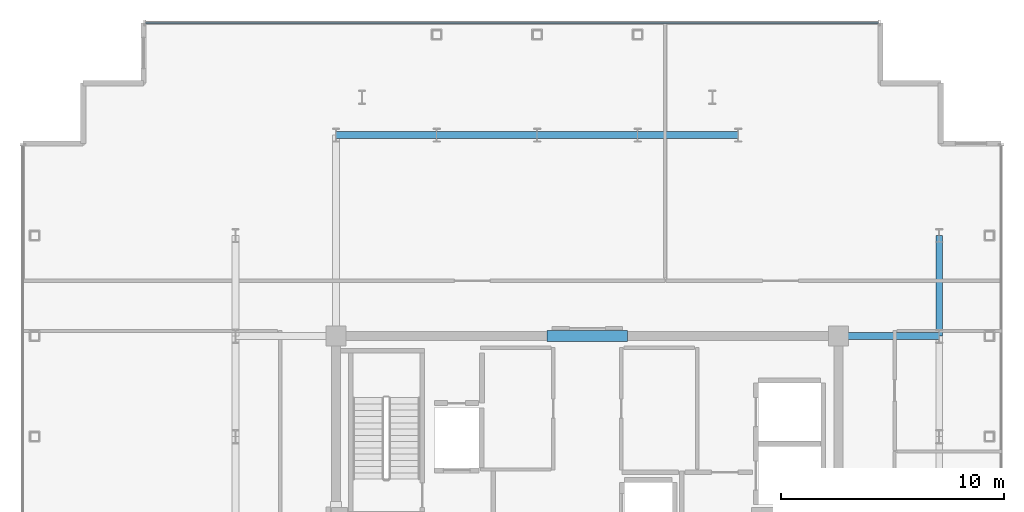
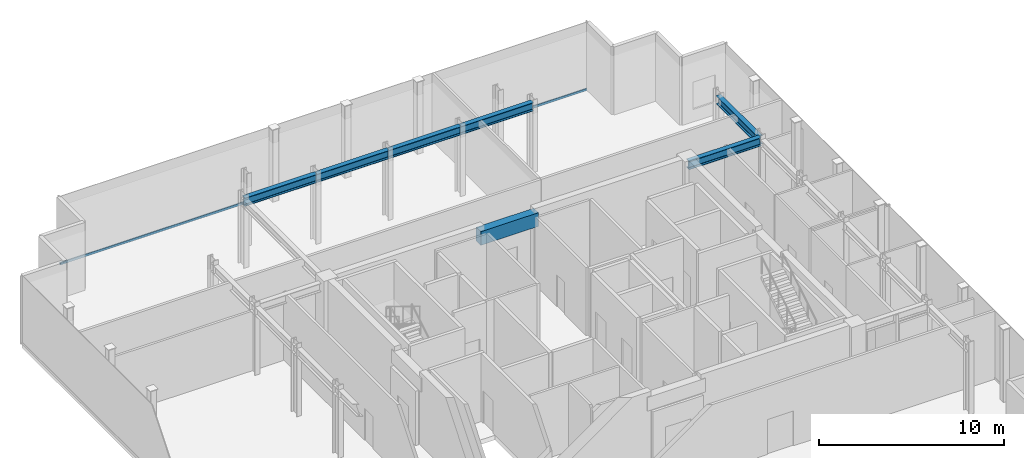
# One storey, part 10 of 17: 7 beams, 1 member, 1 element without a shape of its own.
"""IFC4 building model written with IfcOpenShell, lengths in metres."""

import ifcopenshell
import ifcopenshell.guid

model = None  # the IFC model being written
_history = None  # IfcOwnerHistory: only IFC2X3 demands one
_inside = {}  # id of a spatial element -> (the spatial element, [elements in it])
_under = {}  # id of a project, library or spatial element -> (it, [spatial elements below it])
_declared = {}  # id of a project -> (the project, [libraries it declares])
_typed = {}  # id of a type object -> (the type object, [elements of that type])
_made_of = {}  # id of a material, layer set ... -> (it, [elements and type objects made of it])


def new_model(schema):
    """Start an empty IFC model of exactly this schema.

    Asked for "IFC4X3", IfcOpenShell would pick the latest addendum, in which some entities
    have other attributes; the version numbers below select the first issue.
    IFC2X3 requires an IfcOwnerHistory on every rooted entity: one is made here for all.
    """
    global model, _history
    if schema == "IFC4X3":
        model = ifcopenshell.file(schema_version=(4, 3, 0, 0))
    else:
        model = ifcopenshell.file(schema=schema)
    _inside.clear()
    _under.clear()
    _declared.clear()
    _typed.clear()
    _made_of.clear()
    _history = None
    if model.schema == "IFC2X3":
        org = make("IfcOrganization", Name="unknown")
        user = make(
            "IfcPersonAndOrganization",
            ThePerson=make("IfcPerson", FamilyName="unknown"),
            TheOrganization=org,
        )
        app = make(
            "IfcApplication",
            ApplicationDeveloper=org,
            Version="unknown",
            ApplicationFullName="unknown",
            ApplicationIdentifier="unknown",
        )
        _history = make(
            "IfcOwnerHistory",
            OwningUser=user,
            OwningApplication=app,
            ChangeAction="ADDED",
            CreationDate=0,
        )
    return model


def make(cls, **values):
    """One entity of the class cls with the attributes given. An attribute that is None is left unset."""
    return model.create_entity(
        cls, **{name: value for name, value in values.items() if value is not None}
    )


def rooted(cls, **values):
    """An entity with a GlobalId (a new one), such as an element, a storey or a relation."""
    return make(cls, GlobalId=ifcopenshell.guid.new(), OwnerHistory=_history, **values)


def si_unit(unit_type, name, prefix=None):
    """IfcSIUnit, for example si_unit("LENGTHUNIT", "METRE", prefix="MILLI")."""
    return make("IfcSIUnit", UnitType=unit_type, Prefix=prefix, Name=name)


def assignment(units):
    """IfcUnitAssignment: the units of a project."""
    return None if units is None else make("IfcUnitAssignment", Units=units)


def point(xyz):
    """IfcCartesianPoint."""
    return None if xyz is None else make("IfcCartesianPoint", Coordinates=xyz)


def direction(xyz):
    """IfcDirection."""
    return None if xyz is None else make("IfcDirection", DirectionRatios=xyz)


def frame(location, z_axis=None, x_axis=None):
    """IfcAxis2Placement3D, a coordinate frame: its origin and axes. An axis left out is left unset."""
    return make(
        "IfcAxis2Placement3D",
        Location=point(location),
        Axis=direction(z_axis),
        RefDirection=direction(x_axis),
    )


def frame_2d(location, x_axis=None):
    """IfcAxis2Placement2D, a coordinate frame in the plane: its origin and x axis."""
    return make(
        "IfcAxis2Placement2D", Location=point(location), RefDirection=direction(x_axis)
    )


def origin():
    """The frame at (0, 0, 0) with its axes left unset."""
    return frame((0.0, 0.0, 0.0))


def origin_2d():
    """The frame at (0, 0) in the plane with its x axis left unset."""
    return frame_2d((0.0, 0.0))


def place(relative_to, where):
    """IfcLocalPlacement: puts the frame where relative to a parent placement (None: the world)."""
    return make(
        "IfcLocalPlacement", PlacementRelTo=relative_to, RelativePlacement=where
    )


def context(
    kind, dimensions, precision=None, world=None, true_north=None, identifier=None
):
    """IfcGeometricRepresentationContext, for example the 3D "Model" context."""
    return make(
        "IfcGeometricRepresentationContext",
        ContextIdentifier=identifier,
        ContextType=kind,
        CoordinateSpaceDimension=dimensions,
        Precision=precision,
        WorldCoordinateSystem=world,
        TrueNorth=true_north,
    )


def subcontext(parent, identifier, kind, view, scale=None):
    """IfcGeometricRepresentationSubContext, for example "Body" below "Model"."""
    return make(
        "IfcGeometricRepresentationSubContext",
        ContextIdentifier=identifier,
        ContextType=kind,
        ParentContext=parent,
        TargetScale=scale,
        TargetView=view,
    )


def project(units=None, contexts=None):
    """IfcProject with its units and contexts."""
    return rooted(
        "IfcProject",
        Name="project",
        RepresentationContexts=contexts,
        UnitsInContext=assignment(units),
    )


def spatial(cls, under=None, at=None, **own):
    """A site, building, storey or space (cls), placed at a placement, below another one or the project."""
    s = rooted(cls, ObjectPlacement=at, **own)
    if under is not None:
        _under.setdefault(under.id(), (under, []))[1].append(s)
    return s


def profile(cls, at=None, kind="AREA", **sizes):
    """A parametric profile (cls). Its sizes go by their IFC names, for example OverallWidth=200.0."""
    return make(cls, ProfileType=kind, Position=at, **sizes)


def rectangle(**sizes):
    """IfcRectangleProfileDef."""
    return profile("IfcRectangleProfileDef", **sizes)


def hollow_rectangle(**sizes):
    """IfcRectangleHollowProfileDef."""
    return profile("IfcRectangleHollowProfileDef", **sizes)


def i_section(**sizes):
    """IfcIShapeProfileDef."""
    return profile("IfcIShapeProfileDef", **sizes)


def extrude(swept, where, along, depth):
    """IfcExtrudedAreaSolid: the profile swept, set in the frame where, extruded along a direction by depth."""
    return make(
        "IfcExtrudedAreaSolid",
        SweptArea=swept,
        Position=where,
        ExtrudedDirection=direction(along),
        Depth=depth,
    )


def shape(context_of_items, identifier, shape_type, items):
    """IfcShapeRepresentation: the items that make up one representation, for example the "Body"."""
    return make(
        "IfcShapeRepresentation",
        ContextOfItems=context_of_items,
        RepresentationIdentifier=identifier,
        RepresentationType=shape_type,
        Items=items,
    )


def source(mapping_origin, context_of_items, identifier, shape_type, items):
    """IfcRepresentationMap: a shape defined once, which mapped items show again and again."""
    return make(
        "IfcRepresentationMap",
        MappingOrigin=mapping_origin,
        MappedRepresentation=shape(context_of_items, identifier, shape_type, items),
    )


def transform(
    local_origin,
    x_axis=None,
    y_axis=None,
    z_axis=None,
    scale=None,
    scale2=None,
    scale3=None,
    uniform=True,
):
    """IfcCartesianTransformationOperator3D, or its non-uniform kind. x_axis, y_axis, z_axis: its Axis1, 2, 3."""
    if uniform:
        return make(
            "IfcCartesianTransformationOperator3D",
            Axis1=direction(x_axis),
            Axis2=direction(y_axis),
            LocalOrigin=point(local_origin),
            Scale=scale,
            Axis3=direction(z_axis),
        )
    return make(
        "IfcCartesianTransformationOperator3DnonUniform",
        Axis1=direction(x_axis),
        Axis2=direction(y_axis),
        LocalOrigin=point(local_origin),
        Scale=scale,
        Axis3=direction(z_axis),
        Scale2=scale2,
        Scale3=scale3,
    )


def mapped(mapping_source, mapping_target):
    """IfcMappedItem: shows the shape of a source again, moved by a transform."""
    return make(
        "IfcMappedItem", MappingSource=mapping_source, MappingTarget=mapping_target
    )


def material(Name=None, Category=None):
    """IfcMaterial."""
    return make("IfcMaterial", Name=Name, Category=Category)


def layer(
    of_material, thickness, ventilated=None, Name=None, Category=None, Priority=None
):
    """IfcMaterialLayer: one layer of a wall or slab, of a material (None: an air gap)."""
    return make(
        "IfcMaterialLayer",
        Material=of_material,
        LayerThickness=thickness,
        IsVentilated=ventilated,
        Name=Name,
        Category=Category,
        Priority=Priority,
    )


def layer_set(layers, Name=None):
    """IfcMaterialLayerSet."""
    return make("IfcMaterialLayerSet", MaterialLayers=layers, LayerSetName=Name)


def material_profile(
    of_material, cross_section, Name=None, Category=None, Priority=None
):
    """IfcMaterialProfile: a cross section and its material."""
    return make(
        "IfcMaterialProfile",
        Name=Name,
        Material=of_material,
        Profile=cross_section,
        Priority=Priority,
        Category=Category,
    )


def profile_set(profiles, Name=None, composite=None):
    """IfcMaterialProfileSet."""
    return make(
        "IfcMaterialProfileSet",
        Name=Name,
        MaterialProfiles=profiles,
        CompositeProfile=composite,
    )


def made_of(thing, what):
    """Note that an element or type object is made of a material, layer set ...; save() writes the relation."""
    if what is not None:
        _made_of.setdefault(what.id(), (what, []))[1].append(thing)
    return thing


def type_object(cls, material=None, **own):
    """A type object (cls), such as IfcWallType, which elements share."""
    return made_of(rooted(cls, **own), material)


def element(
    cls,
    number,
    at=None,
    inside=None,
    cuts=None,
    type_object=None,
    material=None,
    context=None,
    identifier="Body",
    shape_type=None,
    held_by="IfcProductDefinitionShape",
    body=None,
    shapes=None,
    **own,
):
    """One element of the class cls, such as IfcWall. Its Tag is "e" and its number.

    at: its placement. inside: the storey or other place that contains it. cuts: it is an
    opening in that element (IfcRelVoidsElement). A single representation is given by context,
    identifier, shape_type and body (its items); several are given by shapes. held_by: the class
    of the entity that holds the representations. save() writes the other relations.
    """
    e = rooted(cls, Tag="e%d" % number, ObjectPlacement=at, **own)
    if body is not None:
        shapes = [shape(context, identifier, shape_type, body)]
    if shapes is not None:
        e.Representation = make(held_by, Representations=shapes)
    if inside is not None:
        _inside.setdefault(inside.id(), (inside, []))[1].append(e)
    if cuts is not None:
        rooted(
            "IfcRelVoidsElement", RelatingBuildingElement=cuts, RelatedOpeningElement=e
        )
    if type_object is not None:
        _typed.setdefault(type_object.id(), (type_object, []))[1].append(e)
    return made_of(e, material)


def aggregate(whole, parts):
    """IfcRelAggregates: a whole, such as a stair, and the parts it consists of."""
    return rooted("IfcRelAggregates", RelatingObject=whole, RelatedObjects=parts)


def save(model, path):
    """Write the relations noted so far, then the file.

    IfcRelAggregates (storeys below a building ...), IfcRelContainedInSpatialStructure (elements
    in a storey), IfcRelDefinesByType, IfcRelAssociatesMaterial and IfcRelDeclares: one each for
    every whole, place, type object, material and project.
    """
    for whole, parts in _under.values():
        aggregate(whole, parts)
    for where, things in _inside.values():
        rooted(
            "IfcRelContainedInSpatialStructure",
            RelatedElements=things,
            RelatingStructure=where,
        )
    for kind, things in _typed.values():
        rooted("IfcRelDefinesByType", RelatedObjects=things, RelatingType=kind)
    for what, things in _made_of.values():
        rooted("IfcRelAssociatesMaterial", RelatedObjects=things, RelatingMaterial=what)
    for by, libraries in _declared.values():
        rooted("IfcRelDeclares", RelatingContext=by, RelatedDefinitions=libraries)
    model.write(path)


model = new_model("IFC4")

# Units and contexts
model_context = context("Model", 3, precision=1e-05, world=origin(), true_north=direction((0.0, 1.0)))
body_context = subcontext(model_context, "Body", "Model", "MODEL_VIEW")
ifc_project = project(units=[si_unit("LENGTHUNIT", "METRE"), si_unit("AREAUNIT", "SQUARE_METRE"), si_unit("VOLUMEUNIT", "CUBIC_METRE"), si_unit("PLANEANGLEUNIT", "RADIAN"), si_unit("MASSUNIT", "GRAM", prefix="KILO")], contexts=[model_context])

# Site, building, storey
site_placement = place(None, origin())
site = spatial("IfcSite", under=ifc_project, at=site_placement, CompositionType="ELEMENT")
building_placement = place(site_placement, origin())
building = spatial("IfcBuilding", under=site, at=building_placement, Name="Nefas-Gora Pilgrimage Tower", CompositionType="ELEMENT")
storey_placement = place(building_placement, frame((0.0, 0.0, 353.800048828125)))
storey = spatial("IfcBuildingStorey", under=building, at=storey_placement, Name="L89", CompositionType="ELEMENT", Elevation=353.800048828125)

# Beams
ifc_material_1 = material(Name="Concrete C50/60", Category="concrete")
ifc_material_profile_1 = material_profile(ifc_material_1, rectangle(XDim=0.5, YDim=0.89990234375, at=origin_2d()), Name="RC 500x900")
ifc_profile_set_1 = profile_set([ifc_material_profile_1], Name="Concrete C50/60")
beam_type_1 = type_object("IfcBeamType", Name="BM-LIN-RC900", PredefinedType="LINTEL", material=ifc_profile_set_1)
shared_shape_1 = source(origin(), body_context, "Body", "SweptSolid", [
    extrude(rectangle(XDim=0.5, YDim=0.89990234375, at=origin_2d()), origin(), (0.0, 0.0, 1.0), 3.60009765625),
])
beam_placement = place(storey_placement, frame((-1.800048828125, 9.0, 4.050048828125), z_axis=(1.0, 0.0, 0.0), x_axis=(0.0, 1.0, 0.0)))
element("IfcBeam", 1, at=beam_placement, inside=storey, type_object=beam_type_1, Name="L89 Core Coupling Lintel Beam N", PredefinedType="LINTEL", context=body_context, shape_type="MappedRepresentation", body=[
    mapped(shared_shape_1, transform((0.0, 0.0, 0.0), x_axis=(1.0, 0.0, 0.0), y_axis=(0.0, 1.0, 0.0), z_axis=(0.0, 0.0, 1.0), scale=1.0)),
])
ifc_material_2 = material(Name="Steel S355", Category="steel")
ifc_material_profile_2 = material_profile(ifc_material_2, i_section(OverallWidth=0.300048828125, OverallDepth=0.550048828125, WebThickness=0.014892578125, FlangeThickness=0.029052734375, FilletRadius=0.027099609375, at=origin_2d()), Name="HEB 550")
ifc_profile_set_2 = profile_set([ifc_material_profile_2], Name="Steel S355")
beam_type_2 = type_object("IfcBeamType", Name="BM-GIR-HEB550", PredefinedType="BEAM", material=ifc_profile_set_2)
shared_shape_2 = source(origin(), body_context, "Body", "SweptSolid", [
    extrude(i_section(OverallWidth=0.300048828125, OverallDepth=0.550048828125, WebThickness=0.014892578125, FlangeThickness=0.029052734375, FilletRadius=0.027099609375, at=origin_2d()), origin(), (0.0, 0.0, 1.0), 4.5),
])
for number, where, z_axis, x_axis, name in (
    (2, (-11.25, 18.0, 4.224853515625), (1.0, 0.0, 0.0), (0.0, 1.0, 0.0), "L89 G-05 beam"),
    (3, (-6.75, 18.0, 4.224853515625), (1.0, 0.0, 0.0), (0.0, 1.0, 0.0), "L89 G-05 beam"),
    (4, (-2.25, 18.0, 4.224853515625), (1.0, 0.0, 0.0), (0.0, 1.0, 0.0), "L89 G-05 beam"),
    (5, (2.25, 18.0, 4.224853515625), (1.0, 0.0, 0.0), (0.0, 1.0, 0.0), "L89 G-05 beam"),
    (6, (11.25, 9.0, 4.224853515625), (1.0, 0.0, 0.0), (0.0, 1.0, 0.0), "L89 G-05 beam"),
    (7, (15.75, 9.0, 4.224853515625), (0.0, 1.0, 0.0), (-1.0, 0.0, 0.0), "L89 G-05 beam"),
):
    element("IfcBeam", number, at=place(storey_placement, frame(where, z_axis=z_axis, x_axis=x_axis)), inside=storey, type_object=beam_type_2, Name=name, PredefinedType="BEAM", context=body_context, shape_type="MappedRepresentation", body=[
        mapped(shared_shape_2, transform((0.0, 0.0, 0.0), x_axis=(1.0, 0.0, 0.0), y_axis=(0.0, 1.0, 0.0), z_axis=(0.0, 0.0, 1.0), scale=1.0)),
    ])

# Curtain wall, member
ifc_material_3 = material(Name="Dark ceramic-fritted solar-control aluminium-glass curtain wall", Category="aluminium")
ifc_layer = layer(ifc_material_3, 0.219970703125)
ifc_layer_set = layer_set([ifc_layer], Name="Dark ceramic-fritted solar-control aluminium-glass curtain wall")
curtain_wall_type = type_object("IfcCurtainWallType", Name="CW-SYS-6", PredefinedType="NOTDEFINED", material=ifc_layer_set)
curtain_wall_placement = place(storey_placement, origin())
curtain_wall = element("IfcCurtainWall", 8, at=curtain_wall_placement, inside=storey, type_object=curtain_wall_type, Name="L89 Unitised Curtain Wall CW6", PredefinedType="NOTDEFINED")
ifc_material_4 = material(Name="Anodised architectural aluminium", Category="aluminium")
ifc_material_profile_3 = material_profile(ifc_material_4, hollow_rectangle(XDim=0.080078125, YDim=0.159912109375, WallThickness=0.00439453125, InnerFilletRadius=0.00439453125, OuterFilletRadius=0.009033203125, at=origin_2d()), Name="ALU TRANSOM 80x160")
ifc_profile_set_3 = profile_set([ifc_material_profile_3], Name="Anodised architectural aluminium")
member_type = type_object("IfcMemberType", Name="CWM-TRN-6", PredefinedType="USERDEFINED", material=ifc_profile_set_3)
shared_shape_3 = source(origin(), body_context, "Body", "SweptSolid", [
    extrude(hollow_rectangle(XDim=0.080078125, YDim=0.159912109375, WallThickness=0.00439453125, InnerFilletRadius=0.00439453125, OuterFilletRadius=0.009033203125, at=origin_2d()), origin(), (0.0, 0.0, 1.0), 32.81005859375),
])
member_placement = place(storey_placement, frame((13.030029296875, 23.02001953125, 0.050048828125), z_axis=(-1.0, 0.0, 0.0), x_axis=(0.0, -1.0, 0.0)))
member = element("IfcMember", 9, at=member_placement, type_object=member_type, Name="CW6 Spandrel Transom", ObjectType="TRANSOM", PredefinedType="USERDEFINED", context=body_context, shape_type="MappedRepresentation", body=[
    mapped(shared_shape_3, transform((0.0, 0.0, 0.0), x_axis=(1.0, 0.0, 0.0), y_axis=(0.0, 1.0, 0.0), z_axis=(0.0, 0.0, 1.0), scale=1.0)),
])
aggregate(curtain_wall, [member])

save(model, "model.ifc")
